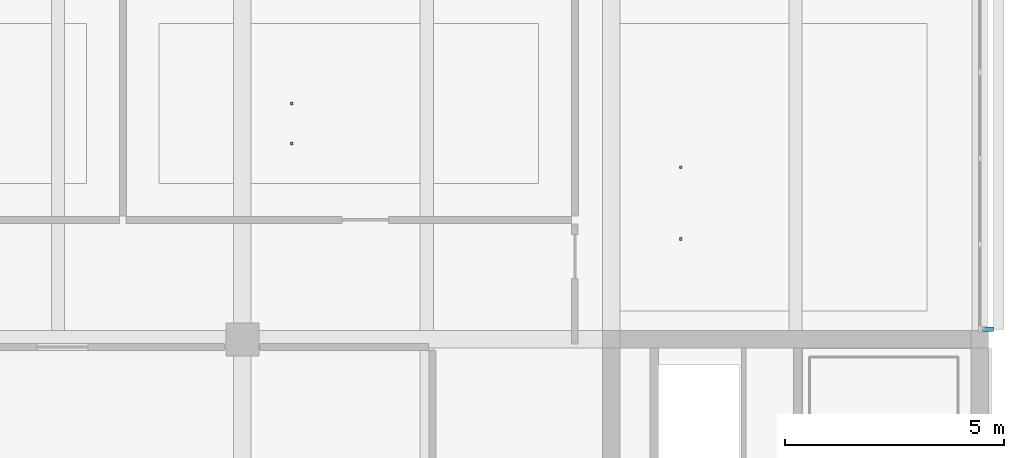
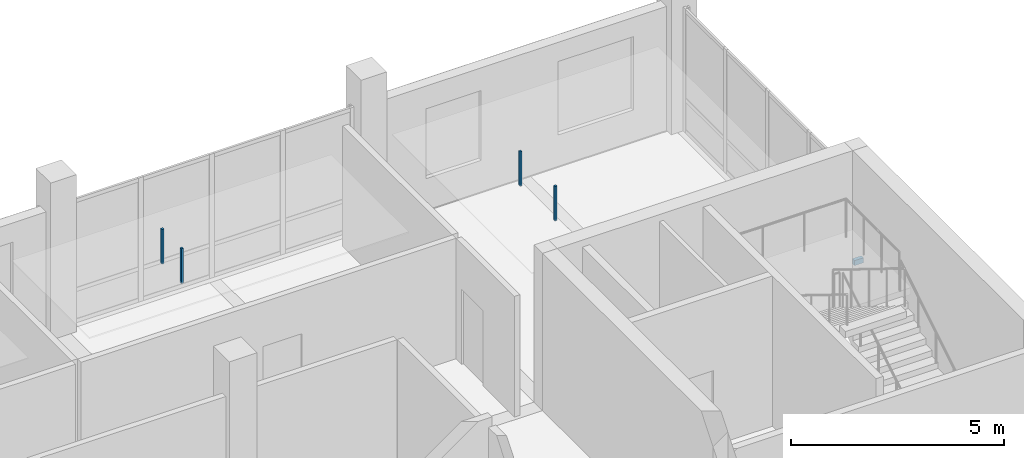
# One storey, part 20 of 32: 5 discrete accessories.
"""IFC4 building model written with IfcOpenShell, lengths in metres."""

from ifc_helpers import new_model, si_unit, direction, frame, origin, origin_2d, place, context, subcontext, project, spatial, rectangle, extrude, material, type_object, element, save


model = new_model("IFC4")

# Units and contexts
model_context = context("Model", 3, precision=1e-05, world=origin(), true_north=direction((0.0, 1.0)))
body_context = subcontext(model_context, "Body", "Model", "MODEL_VIEW")
ifc_project = project(units=[si_unit("LENGTHUNIT", "METRE"), si_unit("AREAUNIT", "SQUARE_METRE"), si_unit("VOLUMEUNIT", "CUBIC_METRE"), si_unit("PLANEANGLEUNIT", "RADIAN"), si_unit("MASSUNIT", "GRAM", prefix="KILO")], contexts=[model_context])

# Site, building, storey
site_placement = place(None, origin())
site = spatial("IfcSite", under=ifc_project, at=site_placement, CompositionType="ELEMENT")
building_placement = place(site_placement, origin())
building = spatial("IfcBuilding", under=site, at=building_placement, Name="Telukmera Botanical Conservatory", CompositionType="ELEMENT")
storey_placement = place(building_placement, frame((0.0, 0.0, 42.0)))
storey = spatial("IfcBuildingStorey", under=building, at=storey_placement, Name="L09", CompositionType="ELEMENT", Elevation=42.0)

# Discrete accessories
ifc_material = material(Name="Steel S355", Category="steel")
discrete_accessory_type_1 = type_object("IfcDiscreteAccessoryType", Name="ACC-CEIL-HGR", PredefinedType="BRACKET", material=ifc_material)
for number, where, z_axis, x_axis, name in (
    (1, (85.12744140625, 38.862548828125, 3.31005859375), (0.0, 0.0, 1.0), (1.0, 0.0, 0.0), "L09 Suspended Ceiling Hanger Rod 036-1"),
    (2, (85.12744140625, 39.77490234375, 3.31005859375), (0.0, 0.0, 1.0), (1.0, 0.0, 0.0), "L09 Suspended Ceiling Hanger Rod 036-2"),
):
    element("IfcDiscreteAccessory", number, at=place(storey_placement, frame(where, z_axis=z_axis, x_axis=x_axis)), inside=storey, type_object=discrete_accessory_type_1, Name=name, PredefinedType="BRACKET", context=body_context, shape_type="SweptSolid", body=[
        extrude(rectangle(XDim=0.06005859375, YDim=0.06005859375, at=origin_2d()), origin(), (0.0, 0.0, 1.0), 0.9951171875),
    ])
for number, where, z_axis, x_axis, name in (
    (3, (93.98388671875, 36.6875, 3.31982421875), (0.0, 0.0, 1.0), (1.0, 0.0, 0.0), "L09 Suspended Ceiling Hanger Rod 037-1"),
    (4, (93.98388671875, 38.324951171875, 3.31982421875), (0.0, 0.0, 1.0), (1.0, 0.0, 0.0), "L09 Suspended Ceiling Hanger Rod 037-2"),
):
    element("IfcDiscreteAccessory", number, at=place(storey_placement, frame(where, z_axis=z_axis, x_axis=x_axis)), inside=storey, type_object=discrete_accessory_type_1, Name=name, PredefinedType="BRACKET", context=body_context, shape_type="SweptSolid", body=[
        extrude(rectangle(XDim=0.06005859375, YDim=0.06005859375, at=origin_2d()), origin(), (0.0, 0.0, 1.0), 0.985107421875),
    ])
discrete_accessory_type_2 = type_object("IfcDiscreteAccessoryType", Name="Structural Steel Facade Outrigger Fin Bracket", PredefinedType="BRACKET", material=ifc_material)
discrete_accessory_placement = place(storey_placement, frame((100.989990234375, 34.632080078125, 0.8798828125), z_axis=(0.0, 0.0, 1.0), x_axis=(0.0, 1.0, 0.0)))
element("IfcDiscreteAccessory", 5, at=discrete_accessory_placement, inside=storey, type_object=discrete_accessory_type_2, Name="Facade Outrigger Bracket V4:L09:E4 A", PredefinedType="BRACKET", context=body_context, shape_type="SweptSolid", body=[
    extrude(rectangle(XDim=0.10009765625, YDim=0.239990234375, at=origin_2d()), origin(), (0.0, 0.0, 1.0), 0.139892578125),
])

save(model, "model.ifc")
